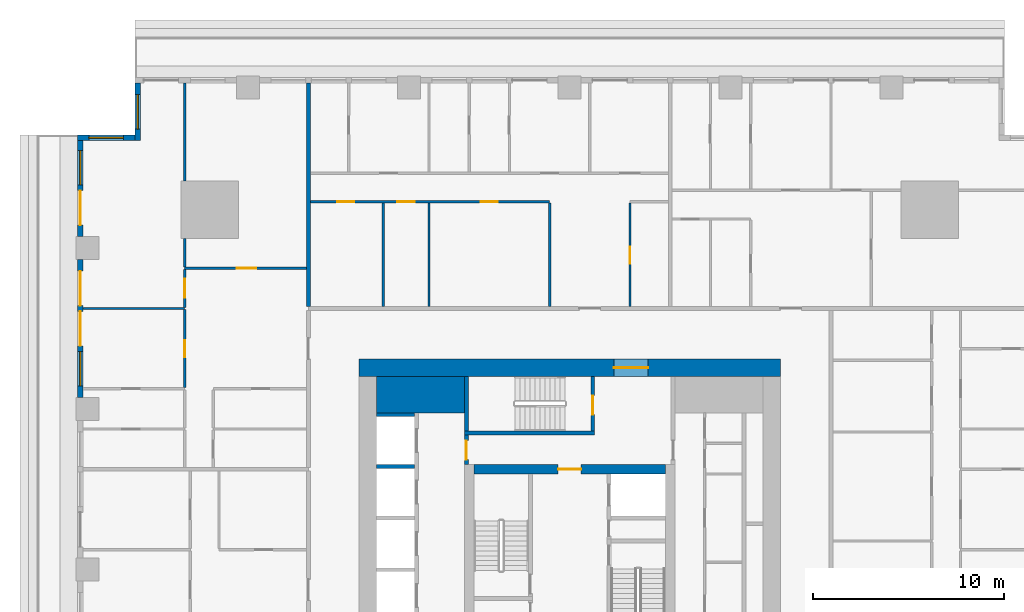
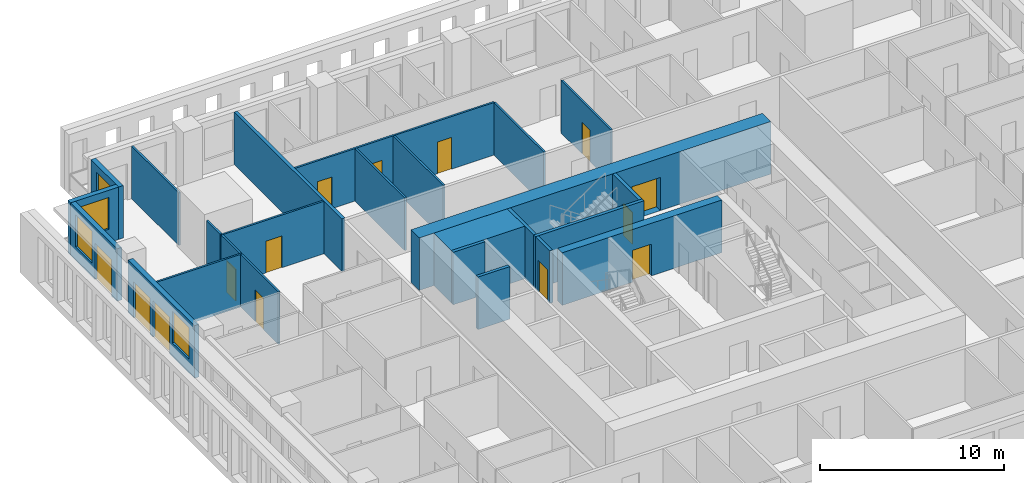
# One storey, part 7 of 15: 25 walls, 14 doors, 4 windows, 18 openings.
"""IFC4 building model written with IfcOpenShell, lengths in metres."""

from ifc_helpers import new_model, si_unit, direction, frame, frame_2d, origin, place, context, subcontext, project, spatial, rectangle, extrude, material, layer, layer_set, type_object, element, fill, save


model = new_model("IFC4")

# Units and contexts
model_context = context("Model", 3, precision=1e-05, world=origin(), true_north=direction((0.0, 1.0)))
body_context = subcontext(model_context, "Body", "Model", "MODEL_VIEW")
ifc_project = project(units=[si_unit("LENGTHUNIT", "METRE"), si_unit("AREAUNIT", "SQUARE_METRE"), si_unit("VOLUMEUNIT", "CUBIC_METRE"), si_unit("PLANEANGLEUNIT", "RADIAN"), si_unit("MASSUNIT", "GRAM", prefix="KILO")], contexts=[model_context])

# Site, building, storey
site_placement = place(None, origin())
site = spatial("IfcSite", under=ifc_project, at=site_placement, CompositionType="ELEMENT")
building_placement = place(site_placement, origin())
building = spatial("IfcBuilding", under=site, at=building_placement, Name="Khepri Terraces", CompositionType="ELEMENT")
storey_placement = place(building_placement, frame((0.0, 0.0, 58.199951171875)))
storey = spatial("IfcBuildingStorey", under=building, at=storey_placement, Name="L13", CompositionType="ELEMENT", Elevation=58.199951171875)

# Walls
ifc_material_1 = material(Name="Concrete C80/95", Category="concrete")
ifc_layer_1 = layer(ifc_material_1, 1.89990234375, Name="Concrete C80/95", Category="concrete")
ifc_layer_set_1 = layer_set([ifc_layer_1], Name="Concrete C80/95")
wall_type_1 = type_object("IfcWallType", Name="Core wall 1900 C80/95", PredefinedType="SHEAR", material=ifc_layer_set_1)
wall_1_placement = place(storey_placement, frame((-10.10009765625, 9.14990234375, 0.0), z_axis=(0.0, 0.0, 1.0), x_axis=(1.0, 0.0, 0.0)))
element("IfcWall", 1, at=wall_1_placement, inside=storey, type_object=wall_type_1, Name="Core wall PR03 L13", PredefinedType="SHEAR", context=body_context, shape_type="SweptSolid", body=[
    extrude(rectangle(XDim=4.60009765625, YDim=1.89990234375, at=frame_2d((2.300048828125, 0.0))), origin(), (0.0, 0.0, 1.0), 3.47998046875),
])
ifc_layer_2 = layer(ifc_material_1, 0.199951171875, Name="Concrete C80/95", Category="concrete")
ifc_layer_set_2 = layer_set([ifc_layer_2], Name="Concrete C80/95")
wall_type_2 = type_object("IfcWallType", Name="Core wall 200 C80/95", PredefinedType="SHEAR", material=ifc_layer_set_2)
wall_2_placement = place(storey_placement, frame((-5.5, 7.14990234375, 0.0), z_axis=(0.0, 0.0, 1.0), x_axis=(1.0, 0.0, 0.0)))
element("IfcWall", 2, at=wall_2_placement, inside=storey, type_object=wall_type_2, Name="Core wall ST05 L13", PredefinedType="SHEAR", context=body_context, shape_type="SweptSolid", body=[
    extrude(rectangle(XDim=6.800048828125, YDim=0.199951171875, at=frame_2d((3.39990234375, 0.0))), origin(), (0.0, 0.0, 1.0), 3.47998046875),
])
wall_3_placement = place(storey_placement, frame((-5.39990234375, 7.25, 0.0), z_axis=(0.0, 0.0, 1.0), x_axis=(0.0, 1.0, 0.0)))
element("IfcWall", 3, at=wall_3_placement, inside=storey, type_object=wall_type_2, Name="Core wall ST06 L13", PredefinedType="SHEAR", context=body_context, shape_type="SweptSolid", body=[
    extrude(rectangle(XDim=2.85009765625, YDim=0.199951171875, at=frame_2d((1.425048828125, 0.0))), origin(), (0.0, 0.0, 1.0), 3.47998046875),
])

# Wall, opening, door
wall_4_placement = place(storey_placement, frame((1.199951171875, 7.25, 0.0), z_axis=(0.0, 0.0, 1.0), x_axis=(0.0, 1.0, 0.0)))
wall_4 = element("IfcWall", 4, at=wall_4_placement, inside=storey, type_object=wall_type_2, Name="Core wall ST07 L13", PredefinedType="SHEAR", context=body_context, shape_type="SweptSolid", body=[
    extrude(rectangle(XDim=2.85009765625, YDim=0.199951171875, at=frame_2d((1.425048828125, 0.0))), origin(), (0.0, 0.0, 1.0), 3.47998046875),
])
opening_1_placement = place(wall_4_placement, frame((0.85009765625, 0.0, 0.0)))
opening_1 = element("IfcOpeningElement", 5, at=opening_1_placement, cuts=wall_4, Name="Opening L13-C15", PredefinedType="OPENING", context=body_context, shape_type="SweptSolid", body=[
    extrude(rectangle(XDim=1.0, YDim=2.10009765625, at=frame_2d((0.5, 1.050048828125))), frame((0.0, 0.10986328125, 0.0), z_axis=(0.0, -1.0, 0.0), x_axis=(1.0, 0.0, 0.0)), (0.0, 0.0, 1.0), 0.219970703125),
])
ifc_material_2 = material(Name="Painted steel", Category="steel")
door_type_1 = type_object("IfcDoorType", Name="DR-CORE-STAIR-1000", OperationType="NOTDEFINED", PredefinedType="DOOR", material=ifc_material_2)
door_1_placement = place(opening_1_placement, origin())
door_1 = element("IfcDoor", 6, at=door_1_placement, inside=storey, type_object=door_type_1, Name="Stair door L13-C15", OperationType="SINGLE_SWING_LEFT", OverallHeight=2.10009765625, OverallWidth=1.0, PredefinedType="DOOR", context=body_context, shape_type="SweptSolid", body=[
    extrude(rectangle(XDim=1.0, YDim=2.10009765625, at=frame_2d((0.5, 1.050048828125))), frame((0.0, 0.02490234375, 0.0), z_axis=(0.0, -1.0, 0.0), x_axis=(1.0, 0.0, 0.0)), (0.0, 0.0, 1.0), 0.050048828125),
])
fill(opening_1, door_1)

# Walls
for number, where, z_axis, x_axis, name in (
    (7, (-10.10009765625, 5.39990234375, 0.0), (0.0, 0.0, 1.0), (1.0, 0.0, 0.0), "Core wall SH19 L13"),
    (8, (-10.10009765625, 8.10009765625, 0.0), (0.0, 0.0, 1.0), (1.0, 0.0, 0.0), "Core wall SH20 L13"),
):
    element("IfcWall", number, at=place(storey_placement, frame(where, z_axis=z_axis, x_axis=x_axis)), inside=storey, type_object=wall_type_2, Name=name, PredefinedType="SHEAR", context=body_context, shape_type="SweptSolid", body=[
        extrude(rectangle(XDim=2.0, YDim=0.199951171875, at=frame_2d((1.0, 0.0))), origin(), (0.0, 0.0, 1.0), 3.47998046875),
    ])

# Wall, opening, door
ifc_layer_3 = layer(ifc_material_1, 0.5, Name="Concrete C80/95", Category="concrete")
ifc_layer_set_3 = layer_set([ifc_layer_3], Name="Concrete C80/95")
wall_type_3 = type_object("IfcWallType", Name="Core wall 500 C80/95", PredefinedType="SHEAR", material=ifc_layer_set_3)
wall_5_placement = place(storey_placement, frame((-5.0, 5.25, 0.0), z_axis=(0.0, 0.0, 1.0), x_axis=(1.0, 0.0, 0.0)))
wall_5 = element("IfcWall", 9, at=wall_5_placement, inside=storey, type_object=wall_type_3, Name="Core wall BX04 L13", PredefinedType="SHEAR", context=body_context, shape_type="SweptSolid", body=[
    extrude(rectangle(XDim=10.0, YDim=0.5, at=frame_2d((5.0, 0.0))), origin(), (0.0, 0.0, 1.0), 3.47998046875),
])
opening_2_placement = place(wall_5_placement, frame((4.39990234375, 0.0, 0.0)))
opening_2 = element("IfcOpeningElement", 10, at=opening_2_placement, cuts=wall_5, Name="Opening L13-C13", PredefinedType="OPENING", context=body_context, shape_type="SweptSolid", body=[
    extrude(rectangle(XDim=1.199951171875, YDim=2.10009765625, at=frame_2d((0.60009765625, 1.050048828125))), frame((0.0, 0.260009765625, 0.0), z_axis=(0.0, -1.0, 0.0), x_axis=(1.0, 0.0, 0.0)), (0.0, 0.0, 1.0), 0.52001953125),
])
door_type_2 = type_object("IfcDoorType", Name="DR-CORE-FF-LOBBY-1200", OperationType="NOTDEFINED", PredefinedType="DOOR", material=ifc_material_2)
door_2_placement = place(opening_2_placement, frame((1.199951171875, 0.0, 0.0), z_axis=(0.0, 0.0, 1.0), x_axis=(-1.0, 0.0, 0.0)))
door_2 = element("IfcDoor", 11, at=door_2_placement, inside=storey, type_object=door_type_2, Name="Firefighting lobby door L13-C13", OperationType="SINGLE_SWING_LEFT", OverallHeight=2.10009765625, OverallWidth=1.199951171875, PredefinedType="DOOR", context=body_context, shape_type="SweptSolid", body=[
    extrude(rectangle(XDim=1.199951171875, YDim=2.10009765625, at=frame_2d((0.60009765625, 1.050048828125))), frame((0.0, 0.02490234375, 0.0), z_axis=(0.0, -1.0, 0.0), x_axis=(1.0, 0.0, 0.0)), (0.0, 0.0, 1.0), 0.050048828125),
])
fill(opening_2, door_2)

ifc_layer_4 = layer(ifc_material_1, 0.89990234375, Name="Concrete C80/95", Category="concrete")
ifc_layer_set_4 = layer_set([ifc_layer_4], Name="Concrete C80/95")
wall_type_4 = type_object("IfcWallType", Name="Core wall 900 C80/95", PredefinedType="SHEAR", material=ifc_layer_set_4)
wall_6_placement = place(storey_placement, frame((-11.0, 10.550048828125, 0.0), z_axis=(0.0, 0.0, 1.0), x_axis=(1.0, 0.0, 0.0)))
wall_6 = element("IfcWall", 12, at=wall_6_placement, inside=storey, type_object=wall_type_4, Name="Core wall OW-N L13", PredefinedType="SHEAR", context=body_context, shape_type="SweptSolid", body=[
    extrude(rectangle(XDim=22.0, YDim=0.89990234375, at=frame_2d((11.0, 0.0))), origin(), (0.0, 0.0, 1.0), 3.47998046875),
])
opening_3_placement = place(wall_6_placement, frame((13.300048828125, 0.0, 0.0)))
opening_3 = element("IfcOpeningElement", 13, at=opening_3_placement, cuts=wall_6, Name="Opening L13-C20", PredefinedType="OPENING", context=body_context, shape_type="SweptSolid", body=[
    extrude(rectangle(XDim=1.800048828125, YDim=2.199951171875, at=frame_2d((0.89990234375, 1.10009765625))), frame((0.0, 0.4599609375, 0.0), z_axis=(0.0, -1.0, 0.0), x_axis=(1.0, 0.0, 0.0)), (0.0, 0.0, 1.0), 0.919921875),
])
door_type_3 = type_object("IfcDoorType", Name="DR-CORE-ENTRANCE-1800", OperationType="NOTDEFINED", PredefinedType="DOOR", material=ifc_material_2)
door_3_placement = place(opening_3_placement, origin())
door_3 = element("IfcDoor", 14, at=door_3_placement, inside=storey, type_object=door_type_3, Name="Core entrance door pair L13-C20", OperationType="DOUBLE_DOOR_SINGLE_SWING", OverallHeight=2.199951171875, OverallWidth=1.800048828125, PredefinedType="DOOR", context=body_context, shape_type="SweptSolid", body=[
    extrude(rectangle(XDim=1.800048828125, YDim=2.199951171875, at=frame_2d((0.89990234375, 1.10009765625))), frame((0.0, 0.02490234375, 0.0), z_axis=(0.0, -1.0, 0.0), x_axis=(1.0, 0.0, 0.0)), (0.0, 0.0, 1.0), 0.050048828125),
])
fill(opening_3, door_3)

ifc_material_3 = material(Name="Fire-rated gypsum board partition")
ifc_layer_5 = layer(ifc_material_3, 0.199951171875, Name="Fire-rated gypsum board partition")
ifc_layer_set_5 = layer_set([ifc_layer_5], Name="Fire-rated gypsum board partition")
wall_type_5 = type_object("IfcWallType", Name="WL-CORE-PART-200", PredefinedType="PARTITIONING", material=ifc_layer_set_5)
wall_7_placement = place(storey_placement, frame((-5.39990234375, 5.5, 0.0), z_axis=(0.0, 0.0, 1.0), x_axis=(0.0, 1.0, 0.0)))
wall_7 = element("IfcWall", 15, at=wall_7_placement, inside=storey, type_object=wall_type_5, Name="Core partition PT08 L13", PredefinedType="PARTITIONING", context=body_context, shape_type="SweptSolid", body=[
    extrude(rectangle(XDim=1.550048828125, YDim=0.199951171875, at=frame_2d((0.77490234375, 0.0))), origin(), (0.0, 0.0, 1.0), 3.47998046875),
])
opening_4_placement = place(wall_7_placement, frame((0.25, 0.0, 0.0)))
opening_4 = element("IfcOpeningElement", 16, at=opening_4_placement, cuts=wall_7, Name="Opening L13-C16", PredefinedType="OPENING", context=body_context, shape_type="SweptSolid", body=[
    extrude(rectangle(XDim=1.0, YDim=2.10009765625, at=frame_2d((0.5, 1.050048828125))), frame((0.0, 0.10986328125, 0.0), z_axis=(0.0, -1.0, 0.0), x_axis=(1.0, 0.0, 0.0)), (0.0, 0.0, 1.0), 0.219970703125),
])
door_type_4 = type_object("IfcDoorType", Name="DR-CORE-LOBBY-1000", OperationType="NOTDEFINED", PredefinedType="DOOR", material=ifc_material_2)
door_4_placement = place(opening_4_placement, frame((1.0, 0.0, 0.0), z_axis=(0.0, 0.0, 1.0), x_axis=(-1.0, 0.0, 0.0)))
door_4 = element("IfcDoor", 17, at=door_4_placement, inside=storey, type_object=door_type_4, Name="Lobby door L13-C16", OperationType="SINGLE_SWING_RIGHT", OverallHeight=2.10009765625, OverallWidth=1.0, PredefinedType="DOOR", context=body_context, shape_type="SweptSolid", body=[
    extrude(rectangle(XDim=1.0, YDim=2.10009765625, at=frame_2d((0.5, 1.050048828125))), frame((0.0, 0.02490234375, 0.0), z_axis=(0.0, -1.0, 0.0), x_axis=(1.0, 0.0, 0.0)), (0.0, 0.0, 1.0), 0.050048828125),
])
fill(opening_4, door_4)

# Wall
ifc_material_4 = material(Name="Fire-rated gypsum plasterboard partition, mineral wool")
ifc_layer_6 = layer(ifc_material_4, 0.199951171875, Name="Fire-rated gypsum plasterboard partition, mineral wool")
ifc_layer_set_6 = layer_set([ifc_layer_6], Name="Fire-rated gypsum plasterboard partition, mineral wool")
wall_type_6 = type_object("IfcWallType", Name="WL-CORR-200", PredefinedType="PARTITIONING", material=ifc_layer_set_6)
wall_8_placement = place(storey_placement, frame((-13.64990234375, 13.75, 0.0), z_axis=(0.0, 0.0, 1.0), x_axis=(0.0, 1.0, 0.0)))
element("IfcWall", 18, at=wall_8_placement, inside=storey, type_object=wall_type_6, Name="Partition P-082 L13", PredefinedType="PARTITIONING", context=body_context, shape_type="SweptSolid", body=[
    extrude(rectangle(XDim=11.669921875, YDim=0.199951171875, at=frame_2d((5.8349609375, 0.0))), origin(), (0.0, 0.0, 1.0), 3.47998046875),
])

# Wall, opening, window
ifc_material_5 = material(Name="Precast concrete C50/60 warm stone", Category="masonry")
ifc_layer_7 = layer(ifc_material_5, 0.300048828125, Name="Precast concrete C50/60 warm stone", Category="masonry")
ifc_layer_set_7 = layer_set([ifc_layer_7], Name="Precast concrete C50/60 warm stone")
wall_type_7 = type_object("IfcWallType", Name="WL-EXT-PRECAST-300", PredefinedType="STANDARD", material=ifc_layer_set_7)
wall_9_placement = place(storey_placement, frame((-22.570068359375, 25.419921875, 0.0), z_axis=(0.0, 0.0, 1.0), x_axis=(0.0, -1.0, 0.0)))
wall_9 = element("IfcWall", 19, at=wall_9_placement, inside=storey, type_object=wall_type_7, Name="External wall L13 W", PredefinedType="STANDARD", context=body_context, shape_type="SweptSolid", body=[
    extrude(rectangle(XDim=3.0, YDim=0.300048828125, at=frame_2d((1.5, 0.0))), origin(), (0.0, 0.0, 1.0), 3.47998046875),
])
opening_5_placement = place(wall_9_placement, frame((0.60009765625, 0.0, 0.89990234375)))
opening_5 = element("IfcOpeningElement", 20, at=opening_5_placement, cuts=wall_9, Name="Opening W1", PredefinedType="OPENING", context=body_context, shape_type="SweptSolid", body=[
    extrude(rectangle(XDim=1.800048828125, YDim=2.10009765625, at=frame_2d((0.89990234375, 1.050048828125))), frame((0.0, 0.16015625, 0.0), z_axis=(0.0, -1.0, 0.0), x_axis=(1.0, 0.0, 0.0)), (0.0, 0.0, 1.0), 0.320068359375),
])
ifc_material_6 = material(Name="Clear glass", Category="glass")
window_type = type_object("IfcWindowType", Name="WIN-RES-1800x2100", PartitioningType="SINGLE_PANEL", PredefinedType="WINDOW", material=ifc_material_6)
window_1_placement = place(opening_5_placement, origin())
window_1 = element("IfcWindow", 21, at=window_1_placement, inside=storey, type_object=window_type, Name="Window L13 W", OverallHeight=2.10009765625, OverallWidth=1.800048828125, PartitioningType="SINGLE_PANEL", PredefinedType="WINDOW", context=body_context, shape_type="SweptSolid", body=[
    extrude(rectangle(XDim=1.800048828125, YDim=2.10009765625, at=frame_2d((0.89990234375, 1.050048828125))), frame((0.0, 0.030029296875, 0.0), z_axis=(0.0, -1.0, 0.0), x_axis=(1.0, 0.0, 0.0)), (0.0, 0.0, 1.0), 0.06005859375),
])
fill(opening_5, window_1)

wall_10_placement = place(storey_placement, frame((-22.719970703125, 22.570068359375, 0.0), z_axis=(0.0, 0.0, 1.0), x_axis=(-1.0, 0.0, 0.0)))
wall_10 = element("IfcWall", 22, at=wall_10_placement, inside=storey, type_object=wall_type_7, Name="External wall L13 N", PredefinedType="STANDARD", context=body_context, shape_type="SweptSolid", body=[
    extrude(rectangle(XDim=3.0, YDim=0.300048828125, at=frame_2d((1.5, 0.0))), origin(), (0.0, 0.0, 1.0), 3.47998046875),
])
opening_6_placement = place(wall_10_placement, frame((0.60009765625, 0.0, 0.89990234375)))
opening_6 = element("IfcOpeningElement", 23, at=opening_6_placement, cuts=wall_10, Name="Opening W1", PredefinedType="OPENING", context=body_context, shape_type="SweptSolid", body=[
    extrude(rectangle(XDim=1.800048828125, YDim=2.10009765625, at=frame_2d((0.89990234375, 1.050048828125))), frame((0.0, 0.16015625, 0.0), z_axis=(0.0, -1.0, 0.0), x_axis=(1.0, 0.0, 0.0)), (0.0, 0.0, 1.0), 0.320068359375),
])
window_2_placement = place(opening_6_placement, origin())
window_2 = element("IfcWindow", 24, at=window_2_placement, inside=storey, type_object=window_type, Name="Window L13 N", OverallHeight=2.10009765625, OverallWidth=1.800048828125, PartitioningType="SINGLE_PANEL", PredefinedType="WINDOW", context=body_context, shape_type="SweptSolid", body=[
    extrude(rectangle(XDim=1.800048828125, YDim=2.10009765625, at=frame_2d((0.89990234375, 1.050048828125))), frame((0.0, 0.030029296875, 0.0), z_axis=(0.0, -1.0, 0.0), x_axis=(1.0, 0.0, 0.0)), (0.0, 0.0, 1.0), 0.06005859375),
])
fill(opening_6, window_2)

# Wall, openings, door, window
wall_11_placement = place(storey_placement, frame((-25.570068359375, 22.419921875, 0.0), z_axis=(0.0, 0.0, 1.0), x_axis=(0.0, -1.0, 0.0)))
wall_11 = element("IfcWall", 25, at=wall_11_placement, inside=storey, type_object=wall_type_7, Name="External wall L13 W", PredefinedType="STANDARD", context=body_context, shape_type="SweptSolid", body=[
    extrude(rectangle(XDim=5.02001953125, YDim=0.300048828125, at=frame_2d((2.510009765625, 0.0))), origin(), (0.0, 0.0, 1.0), 3.47998046875),
])
opening_7_placement = place(wall_11_placement, frame((0.52001953125, 0.0, 0.89990234375)))
opening_7 = element("IfcOpeningElement", 26, at=opening_7_placement, cuts=wall_11, Name="Opening W1", PredefinedType="OPENING", context=body_context, shape_type="SweptSolid", body=[
    extrude(rectangle(XDim=1.800048828125, YDim=2.10009765625, at=frame_2d((0.89990234375, 1.050048828125))), frame((0.0, 0.16015625, 0.0), z_axis=(0.0, -1.0, 0.0), x_axis=(1.0, 0.0, 0.0)), (0.0, 0.0, 1.0), 0.320068359375),
])
opening_8_placement = place(wall_11_placement, frame((2.6201171875, 0.0, 0.0)))
opening_8 = element("IfcOpeningElement", 27, at=opening_8_placement, cuts=wall_11, Name="Opening ED-L13-11", PredefinedType="OPENING", context=body_context, shape_type="SweptSolid", body=[
    extrude(rectangle(XDim=1.800048828125, YDim=2.39990234375, at=frame_2d((0.89990234375, 1.199951171875))), frame((0.0, 0.16015625, 0.0), z_axis=(0.0, -1.0, 0.0), x_axis=(1.0, 0.0, 0.0)), (0.0, 0.0, 1.0), 0.320068359375),
])
ifc_material_7 = material(Name="Anodised aluminium bronze glazed door", Category="aluminium")
door_type_5 = type_object("IfcDoorType", Name="DR-BAL-SLIDE-1800x2400", OperationType="NOTDEFINED", PredefinedType="DOOR", material=ifc_material_7)
door_5_placement = place(opening_8_placement, origin())
door_5 = element("IfcDoor", 28, at=door_5_placement, inside=storey, type_object=door_type_5, Name="Balcony door L13 W", OperationType="SLIDING_TO_RIGHT", OverallHeight=2.39990234375, OverallWidth=1.800048828125, PredefinedType="DOOR", context=body_context, shape_type="SweptSolid", body=[
    extrude(rectangle(XDim=1.800048828125, YDim=2.39990234375, at=frame_2d((0.89990234375, 1.199951171875))), frame((0.0, 0.02490234375, 0.0), z_axis=(0.0, -1.0, 0.0), x_axis=(1.0, 0.0, 0.0)), (0.0, 0.0, 1.0), 0.050048828125),
])
fill(opening_8, door_5)
window_3_placement = place(opening_7_placement, origin())
window_3 = element("IfcWindow", 29, at=window_3_placement, inside=storey, type_object=window_type, Name="Window L13 W", OverallHeight=2.10009765625, OverallWidth=1.800048828125, PartitioningType="SINGLE_PANEL", PredefinedType="WINDOW", context=body_context, shape_type="SweptSolid", body=[
    extrude(rectangle(XDim=1.800048828125, YDim=2.10009765625, at=frame_2d((0.89990234375, 1.050048828125))), frame((0.0, 0.030029296875, 0.0), z_axis=(0.0, -1.0, 0.0), x_axis=(1.0, 0.0, 0.0)), (0.0, 0.0, 1.0), 0.06005859375),
])
fill(opening_7, window_3)

# Wall, openings, doors, window
wall_12_placement = place(storey_placement, frame((-25.570068359375, 16.199951171875, 0.0), z_axis=(0.0, 0.0, 1.0), x_axis=(0.0, -1.0, 0.0)))
wall_12 = element("IfcWall", 30, at=wall_12_placement, inside=storey, type_object=wall_type_7, Name="External wall L13 W", PredefinedType="STANDARD", context=body_context, shape_type="SweptSolid", body=[
    extrude(rectangle(XDim=7.199951171875, YDim=0.300048828125, at=frame_2d((3.60009765625, 0.0))), origin(), (0.0, 0.0, 1.0), 3.47998046875),
])
opening_9_placement = place(wall_12_placement, frame((0.60009765625, 0.0, 0.0)))
opening_9 = element("IfcOpeningElement", 31, at=opening_9_placement, cuts=wall_12, Name="Opening ED-L13-12", PredefinedType="OPENING", context=body_context, shape_type="SweptSolid", body=[
    extrude(rectangle(XDim=1.800048828125, YDim=2.39990234375, at=frame_2d((0.89990234375, 1.199951171875))), frame((0.0, 0.16015625, 0.0), z_axis=(0.0, -1.0, 0.0), x_axis=(1.0, 0.0, 0.0)), (0.0, 0.0, 1.0), 0.320068359375),
])
opening_10_placement = place(wall_12_placement, frame((2.699951171875, 0.0, 0.0)))
opening_10 = element("IfcOpeningElement", 32, at=opening_10_placement, cuts=wall_12, Name="Opening ED-L13-13", PredefinedType="OPENING", context=body_context, shape_type="SweptSolid", body=[
    extrude(rectangle(XDim=1.800048828125, YDim=2.39990234375, at=frame_2d((0.89990234375, 1.199951171875))), frame((0.0, 0.16015625, 0.0), z_axis=(0.0, -1.0, 0.0), x_axis=(1.0, 0.0, 0.0)), (0.0, 0.0, 1.0), 0.320068359375),
])
opening_11_placement = place(wall_12_placement, frame((4.800048828125, 0.0, 0.89990234375)))
opening_11 = element("IfcOpeningElement", 33, at=opening_11_placement, cuts=wall_12, Name="Opening W1", PredefinedType="OPENING", context=body_context, shape_type="SweptSolid", body=[
    extrude(rectangle(XDim=1.800048828125, YDim=2.10009765625, at=frame_2d((0.89990234375, 1.050048828125))), frame((0.0, 0.16015625, 0.0), z_axis=(0.0, -1.0, 0.0), x_axis=(1.0, 0.0, 0.0)), (0.0, 0.0, 1.0), 0.320068359375),
])
door_6_placement = place(opening_9_placement, origin())
door_6 = element("IfcDoor", 34, at=door_6_placement, inside=storey, type_object=door_type_5, Name="Balcony door L13 W", OperationType="SLIDING_TO_LEFT", OverallHeight=2.39990234375, OverallWidth=1.800048828125, PredefinedType="DOOR", context=body_context, shape_type="SweptSolid", body=[
    extrude(rectangle(XDim=1.800048828125, YDim=2.39990234375, at=frame_2d((0.89990234375, 1.199951171875))), frame((0.0, 0.02490234375, 0.0), z_axis=(0.0, -1.0, 0.0), x_axis=(1.0, 0.0, 0.0)), (0.0, 0.0, 1.0), 0.050048828125),
])
fill(opening_9, door_6)
door_7_placement = place(opening_10_placement, origin())
door_7 = element("IfcDoor", 35, at=door_7_placement, inside=storey, type_object=door_type_5, Name="Balcony door L13 W", OperationType="SLIDING_TO_RIGHT", OverallHeight=2.39990234375, OverallWidth=1.800048828125, PredefinedType="DOOR", context=body_context, shape_type="SweptSolid", body=[
    extrude(rectangle(XDim=1.800048828125, YDim=2.39990234375, at=frame_2d((0.89990234375, 1.199951171875))), frame((0.0, 0.02490234375, 0.0), z_axis=(0.0, -1.0, 0.0), x_axis=(1.0, 0.0, 0.0)), (0.0, 0.0, 1.0), 0.050048828125),
])
fill(opening_10, door_7)
window_4_placement = place(opening_11_placement, origin())
window_4 = element("IfcWindow", 36, at=window_4_placement, inside=storey, type_object=window_type, Name="Window L13 W", OverallHeight=2.10009765625, OverallWidth=1.800048828125, PartitioningType="SINGLE_PANEL", PredefinedType="WINDOW", context=body_context, shape_type="SweptSolid", body=[
    extrude(rectangle(XDim=1.800048828125, YDim=2.10009765625, at=frame_2d((0.89990234375, 1.050048828125))), frame((0.0, 0.030029296875, 0.0), z_axis=(0.0, -1.0, 0.0), x_axis=(1.0, 0.0, 0.0)), (0.0, 0.0, 1.0), 0.06005859375),
])
fill(opening_11, window_4)

# Wall, opening, door
ifc_material_8 = material(Name="Gypsum plasterboard partition")
ifc_layer_8 = layer(ifc_material_8, 0.1201171875, Name="Gypsum plasterboard partition")
ifc_layer_set_8 = layer_set([ifc_layer_8], Name="Gypsum plasterboard partition")
wall_type_8 = type_object("IfcWallType", Name="WL-PART-120", PredefinedType="PARTITIONING", material=ifc_layer_set_8)
wall_13_placement = place(storey_placement, frame((-20.1201171875, 9.510009765625, 0.0), z_axis=(0.0, 0.0, 1.0), x_axis=(0.0, 1.0, 0.0)))
wall_13 = element("IfcWall", 37, at=wall_13_placement, inside=storey, type_object=wall_type_8, Name="Partition P-074 L13", PredefinedType="PARTITIONING", context=body_context, shape_type="SweptSolid", body=[
    extrude(rectangle(XDim=4.080078125, YDim=0.1201171875, at=frame_2d((2.0400390625, 0.0))), origin(), (0.0, 0.0, 1.0), 3.47998046875),
])
opening_12_placement = place(wall_13_placement, frame((1.590087890625, 0.0, 0.0)))
opening_12 = element("IfcOpeningElement", 38, at=opening_12_placement, cuts=wall_13, Name="Opening D3", PredefinedType="OPENING", context=body_context, shape_type="SweptSolid", body=[
    extrude(rectangle(XDim=0.89990234375, YDim=2.10009765625, at=frame_2d((0.449951171875, 1.050048828125))), frame((0.0, 0.070068359375, 0.0), z_axis=(0.0, -1.0, 0.0), x_axis=(1.0, 0.0, 0.0)), (0.0, 0.0, 1.0), 0.14013671875),
])
ifc_material_9 = material(Name="Timber door leaf", Category="wood")
door_type_6 = type_object("IfcDoorType", Name="DR-INT-900", OperationType="NOTDEFINED", PredefinedType="DOOR", material=ifc_material_9)
door_8_placement = place(opening_12_placement, origin())
door_8 = element("IfcDoor", 39, at=door_8_placement, inside=storey, type_object=door_type_6, Name="Door Master Bedroom", OperationType="SINGLE_SWING_RIGHT", OverallHeight=2.10009765625, OverallWidth=0.89990234375, PredefinedType="DOOR", context=body_context, shape_type="SweptSolid", body=[
    extrude(rectangle(XDim=0.89990234375, YDim=2.10009765625, at=frame_2d((0.449951171875, 1.050048828125))), frame((0.0, 0.02490234375, 0.0), z_axis=(0.0, -1.0, 0.0), x_axis=(1.0, 0.0, 0.0)), (0.0, 0.0, 1.0), 0.050048828125),
])
fill(opening_12, door_8)

# Wall
wall_14_placement = place(storey_placement, frame((-25.419921875, 13.64990234375, 0.0), z_axis=(0.0, 0.0, 1.0), x_axis=(1.0, 0.0, 0.0)))
element("IfcWall", 40, at=wall_14_placement, inside=storey, type_object=wall_type_8, Name="Partition P-079 L13", PredefinedType="PARTITIONING", context=body_context, shape_type="SweptSolid", body=[
    extrude(rectangle(XDim=5.2998046875, YDim=0.1201171875, at=frame_2d((2.64990234375, 0.0))), origin(), (0.0, 0.0, 1.0), 3.47998046875),
])

# Wall, opening, door
wall_15_placement = place(storey_placement, frame((-20.1201171875, 13.7099609375, 0.0), z_axis=(0.0, 0.0, 1.0), x_axis=(0.0, 1.0, 0.0)))
wall_15 = element("IfcWall", 41, at=wall_15_placement, inside=storey, type_object=wall_type_8, Name="Partition P-081 L13", PredefinedType="PARTITIONING", context=body_context, shape_type="SweptSolid", body=[
    extrude(rectangle(XDim=1.97998046875, YDim=0.1201171875, at=frame_2d((0.989990234375, 0.0))), origin(), (0.0, 0.0, 1.0), 3.47998046875),
])
opening_13_placement = place(wall_15_placement, frame((0.489990234375, 0.0, 0.0)))
opening_13 = element("IfcOpeningElement", 42, at=opening_13_placement, cuts=wall_15, Name="Opening D2", PredefinedType="OPENING", context=body_context, shape_type="SweptSolid", body=[
    extrude(rectangle(XDim=1.0, YDim=2.10009765625, at=frame_2d((0.5, 1.050048828125))), frame((0.0, 0.070068359375, 0.0), z_axis=(0.0, -1.0, 0.0), x_axis=(1.0, 0.0, 0.0)), (0.0, 0.0, 1.0), 0.14013671875),
])
ifc_material_10 = material(Name="Timber door leaf, living room door", Category="wood")
door_type_7 = type_object("IfcDoorType", Name="DR-INT-1000", OperationType="NOTDEFINED", PredefinedType="DOOR", material=ifc_material_10)
door_9_placement = place(opening_13_placement, origin())
door_9 = element("IfcDoor", 43, at=door_9_placement, inside=storey, type_object=door_type_7, Name="Door Living Room", OperationType="SINGLE_SWING_LEFT", OverallHeight=2.10009765625, OverallWidth=1.0, PredefinedType="DOOR", context=body_context, shape_type="SweptSolid", body=[
    extrude(rectangle(XDim=1.0, YDim=2.10009765625, at=frame_2d((0.5, 1.050048828125))), frame((0.0, 0.02490234375, 0.0), z_axis=(0.0, -1.0, 0.0), x_axis=(1.0, 0.0, 0.0)), (0.0, 0.0, 1.0), 0.050048828125),
])
fill(opening_13, door_9)

# Walls
for number, where, z_axis, x_axis, name in (
    (44, (-9.75, 13.75, 0.0), (0.0, 0.0, 1.0), (0.0, 1.0, 0.0), "Partition P-083 L13"),
    (45, (-7.35009765625, 13.75, 0.0), (0.0, 0.0, 1.0), (0.0, 1.0, 0.0), "Partition P-084 L13"),
    (46, (-1.050048828125, 13.75, 0.0), (0.0, 0.0, 1.0), (0.0, 1.0, 0.0), "Partition P-085 L13"),
):
    element("IfcWall", number, at=place(storey_placement, frame(where, z_axis=z_axis, x_axis=x_axis)), inside=storey, type_object=wall_type_8, Name=name, PredefinedType="PARTITIONING", context=body_context, shape_type="SweptSolid", body=[
        extrude(rectangle(XDim=5.409912109375, YDim=0.1201171875, at=frame_2d((2.705078125, 0.0))), origin(), (0.0, 0.0, 1.0), 3.47998046875),
    ])

# Wall, opening, door
wall_16_placement = place(storey_placement, frame((3.14990234375, 13.75, 0.0), z_axis=(0.0, 0.0, 1.0), x_axis=(0.0, 1.0, 0.0)))
wall_16 = element("IfcWall", 47, at=wall_16_placement, inside=storey, type_object=wall_type_8, Name="Partition P-086 L13", PredefinedType="PARTITIONING", context=body_context, shape_type="SweptSolid", body=[
    extrude(rectangle(XDim=5.409912109375, YDim=0.1201171875, at=frame_2d((2.705078125, 0.0))), origin(), (0.0, 0.0, 1.0), 3.47998046875),
])
opening_14_placement = place(wall_16_placement, frame((2.235107421875, 0.0, 0.0)))
opening_14 = element("IfcOpeningElement", 48, at=opening_14_placement, cuts=wall_16, Name="Opening D3", PredefinedType="OPENING", context=body_context, shape_type="SweptSolid", body=[
    extrude(rectangle(XDim=0.89990234375, YDim=2.10009765625, at=frame_2d((0.449951171875, 1.050048828125))), frame((0.0, 0.070068359375, 0.0), z_axis=(0.0, -1.0, 0.0), x_axis=(1.0, 0.0, 0.0)), (0.0, 0.0, 1.0), 0.14013671875),
])
door_10_placement = place(opening_14_placement, frame((0.89990234375, 0.0, 0.0), z_axis=(0.0, 0.0, 1.0), x_axis=(-1.0, 0.0, 0.0)))
door_10 = element("IfcDoor", 49, at=door_10_placement, inside=storey, type_object=door_type_6, Name="Door Utility Room", OperationType="SINGLE_SWING_RIGHT", OverallHeight=2.10009765625, OverallWidth=0.89990234375, PredefinedType="DOOR", context=body_context, shape_type="SweptSolid", body=[
    extrude(rectangle(XDim=0.89990234375, YDim=2.10009765625, at=frame_2d((0.449951171875, 1.050048828125))), frame((0.0, 0.02490234375, 0.0), z_axis=(0.0, -1.0, 0.0), x_axis=(1.0, 0.0, 0.0)), (0.0, 0.0, 1.0), 0.050048828125),
])
fill(opening_14, door_10)

wall_17_placement = place(storey_placement, frame((-20.1201171875, 15.75, 0.0), z_axis=(0.0, 0.0, 1.0), x_axis=(1.0, 0.0, 0.0)))
wall_17 = element("IfcWall", 50, at=wall_17_placement, inside=storey, type_object=wall_type_8, Name="Partition P-091 L13", PredefinedType="PARTITIONING", context=body_context, shape_type="SweptSolid", body=[
    extrude(rectangle(XDim=6.3701171875, YDim=0.1201171875, at=frame_2d((3.18505859375, 0.0))), origin(), (0.0, 0.0, 1.0), 3.47998046875),
])
opening_15_placement = place(wall_17_placement, frame((2.735107421875, 0.0, 0.0)))
opening_15 = element("IfcOpeningElement", 51, at=opening_15_placement, cuts=wall_17, Name="Opening D2", PredefinedType="OPENING", context=body_context, shape_type="SweptSolid", body=[
    extrude(rectangle(XDim=1.0, YDim=2.10009765625, at=frame_2d((0.5, 1.050048828125))), frame((0.0, 0.070068359375, 0.0), z_axis=(0.0, -1.0, 0.0), x_axis=(1.0, 0.0, 0.0)), (0.0, 0.0, 1.0), 0.14013671875),
])
door_11_placement = place(opening_15_placement, origin())
door_11 = element("IfcDoor", 52, at=door_11_placement, inside=storey, type_object=door_type_7, Name="Door Family Room", OperationType="SINGLE_SWING_RIGHT", OverallHeight=2.10009765625, OverallWidth=1.0, PredefinedType="DOOR", context=body_context, shape_type="SweptSolid", body=[
    extrude(rectangle(XDim=1.0, YDim=2.10009765625, at=frame_2d((0.5, 1.050048828125))), frame((0.0, 0.02490234375, 0.0), z_axis=(0.0, -1.0, 0.0), x_axis=(1.0, 0.0, 0.0)), (0.0, 0.0, 1.0), 0.050048828125),
])
fill(opening_15, door_11)

# Wall
wall_18_placement = place(storey_placement, frame((-20.1201171875, 15.81005859375, 0.0), z_axis=(0.0, 0.0, 1.0), x_axis=(0.0, 1.0, 0.0)))
element("IfcWall", 53, at=wall_18_placement, inside=storey, type_object=wall_type_8, Name="Partition P-092 L13", PredefinedType="PARTITIONING", context=body_context, shape_type="SweptSolid", body=[
    extrude(rectangle(XDim=1.489990234375, YDim=0.1201171875, at=frame_2d((0.7451171875, 0.0))), origin(), (0.0, 0.0, 1.0), 3.47998046875),
])

# Wall, openings, doors
wall_19_placement = place(storey_placement, frame((-13.550048828125, 19.219970703125, 0.0), z_axis=(0.0, 0.0, 1.0), x_axis=(1.0, 0.0, 0.0)))
wall_19 = element("IfcWall", 54, at=wall_19_placement, inside=storey, type_object=wall_type_8, Name="Partition P-094 L13", PredefinedType="PARTITIONING", context=body_context, shape_type="SweptSolid", body=[
    extrude(rectangle(XDim=12.5, YDim=0.1201171875, at=frame_2d((6.25, 0.0))), origin(), (0.0, 0.0, 1.0), 3.47998046875),
])
opening_16_placement = place(wall_19_placement, frame((8.89990234375, 0.0, 0.0)))
opening_16 = element("IfcOpeningElement", 55, at=opening_16_placement, cuts=wall_19, Name="Opening D3", PredefinedType="OPENING", context=body_context, shape_type="SweptSolid", body=[
    extrude(rectangle(XDim=0.89990234375, YDim=2.10009765625, at=frame_2d((0.449951171875, 1.050048828125))), frame((0.0, 0.070068359375, 0.0), z_axis=(0.0, -1.0, 0.0), x_axis=(1.0, 0.0, 0.0)), (0.0, 0.0, 1.0), 0.14013671875),
])
opening_17_placement = place(wall_19_placement, frame((4.550048828125, 0.0, 0.0)))
opening_17 = element("IfcOpeningElement", 56, at=opening_17_placement, cuts=wall_19, Name="Opening D4", PredefinedType="OPENING", context=body_context, shape_type="SweptSolid", body=[
    extrude(rectangle(XDim=0.89990234375, YDim=2.10009765625, at=frame_2d((0.449951171875, 1.050048828125))), frame((0.0, 0.070068359375, 0.0), z_axis=(0.0, -1.0, 0.0), x_axis=(1.0, 0.0, 0.0)), (0.0, 0.0, 1.0), 0.14013671875),
])
opening_18_placement = place(wall_19_placement, frame((1.39990234375, 0.0, 0.0)))
opening_18 = element("IfcOpeningElement", 57, at=opening_18_placement, cuts=wall_19, Name="Opening D4", PredefinedType="OPENING", context=body_context, shape_type="SweptSolid", body=[
    extrude(rectangle(XDim=0.89990234375, YDim=2.10009765625, at=frame_2d((0.449951171875, 1.050048828125))), frame((0.0, 0.070068359375, 0.0), z_axis=(0.0, -1.0, 0.0), x_axis=(1.0, 0.0, 0.0)), (0.0, 0.0, 1.0), 0.14013671875),
])
door_12_placement = place(opening_16_placement, frame((0.89990234375, 0.0, 0.0), z_axis=(0.0, 0.0, 1.0), x_axis=(-1.0, 0.0, 0.0)))
door_12 = element("IfcDoor", 58, at=door_12_placement, inside=storey, type_object=door_type_6, Name="Door Kitchen", OperationType="SINGLE_SWING_LEFT", OverallHeight=2.10009765625, OverallWidth=0.89990234375, PredefinedType="DOOR", context=body_context, shape_type="SweptSolid", body=[
    extrude(rectangle(XDim=0.89990234375, YDim=2.10009765625, at=frame_2d((0.449951171875, 1.050048828125))), frame((0.0, 0.02490234375, 0.0), z_axis=(0.0, -1.0, 0.0), x_axis=(1.0, 0.0, 0.0)), (0.0, 0.0, 1.0), 0.050048828125),
])
fill(opening_16, door_12)
ifc_material_11 = material(Name="Timber door leaf, moisture resistant", Category="wood")
door_type_8 = type_object("IfcDoorType", Name="DR-WET-900", OperationType="NOTDEFINED", PredefinedType="DOOR", material=ifc_material_11)
door_13_placement = place(opening_17_placement, frame((0.89990234375, 0.0, 0.0), z_axis=(0.0, 0.0, 1.0), x_axis=(-1.0, 0.0, 0.0)))
door_13 = element("IfcDoor", 59, at=door_13_placement, inside=storey, type_object=door_type_8, Name="Door Powder Room", OperationType="SINGLE_SWING_RIGHT", OverallHeight=2.10009765625, OverallWidth=0.89990234375, PredefinedType="DOOR", context=body_context, shape_type="SweptSolid", body=[
    extrude(rectangle(XDim=0.89990234375, YDim=2.10009765625, at=frame_2d((0.449951171875, 1.050048828125))), frame((0.0, 0.02490234375, 0.0), z_axis=(0.0, -1.0, 0.0), x_axis=(1.0, 0.0, 0.0)), (0.0, 0.0, 1.0), 0.050048828125),
])
fill(opening_17, door_13)
door_14_placement = place(opening_18_placement, frame((0.89990234375, 0.0, 0.0), z_axis=(0.0, 0.0, 1.0), x_axis=(-1.0, 0.0, 0.0)))
door_14 = element("IfcDoor", 60, at=door_14_placement, inside=storey, type_object=door_type_8, Name="Door Guest Bathroom", OperationType="SINGLE_SWING_RIGHT", OverallHeight=2.10009765625, OverallWidth=0.89990234375, PredefinedType="DOOR", context=body_context, shape_type="SweptSolid", body=[
    extrude(rectangle(XDim=0.89990234375, YDim=2.10009765625, at=frame_2d((0.449951171875, 1.050048828125))), frame((0.0, 0.02490234375, 0.0), z_axis=(0.0, -1.0, 0.0), x_axis=(1.0, 0.0, 0.0)), (0.0, 0.0, 1.0), 0.050048828125),
])
fill(opening_18, door_14)

# Wall
wall_20_placement = place(storey_placement, frame((-20.1201171875, 20.300048828125, 0.0), z_axis=(0.0, 0.0, 1.0), x_axis=(0.0, 1.0, 0.0)))
element("IfcWall", 61, at=wall_20_placement, inside=storey, type_object=wall_type_8, Name="Partition P-101 L13", PredefinedType="PARTITIONING", context=body_context, shape_type="SweptSolid", body=[
    extrude(rectangle(XDim=5.119873046875, YDim=0.1201171875, at=frame_2d((2.56005859375, 0.0))), origin(), (0.0, 0.0, 1.0), 3.47998046875),
])

save(model, "model.ifc")
